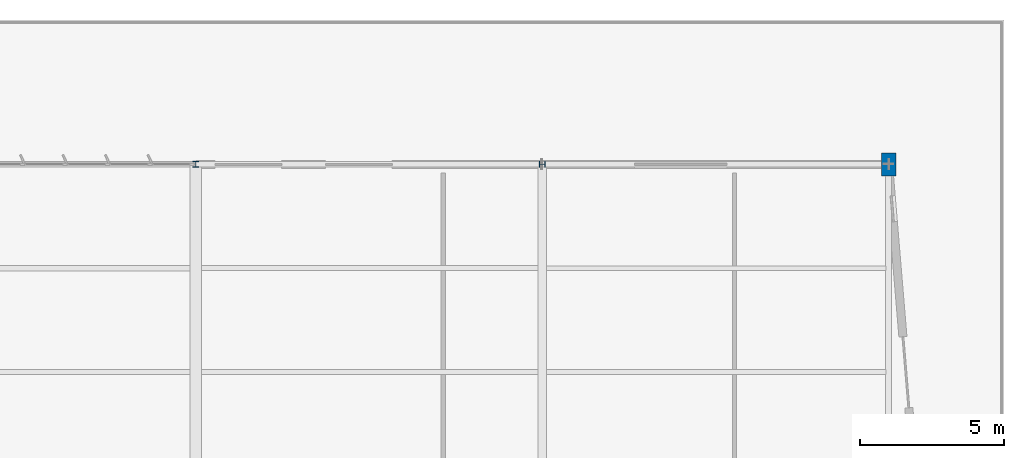
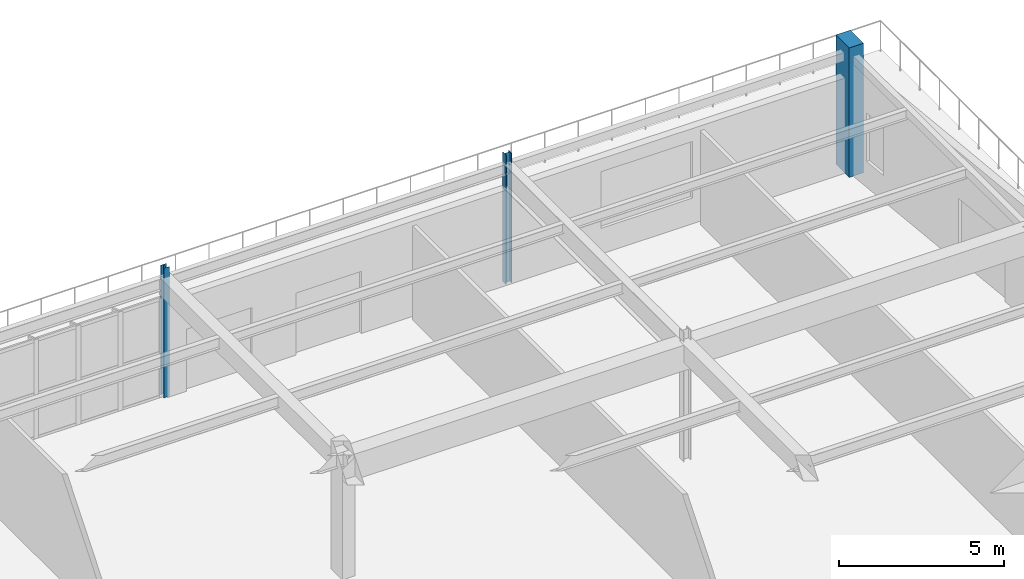
# One storey, part 66 of 199: 3 columns.
"""IFC4 building model written with IfcOpenShell, lengths in metres."""

from ifc_helpers import new_model, si_unit, direction, frame, origin, origin_2d, place, context, subcontext, project, spatial, rectangle, i_section, extrude, material, material_profile, profile_set, type_object, element, save


model = new_model("IFC4")

# Units and contexts
model_context = context("Model", 3, precision=1e-05, world=origin(), true_north=direction((0.0, 1.0)))
body_context = subcontext(model_context, "Body", "Model", "MODEL_VIEW")
ifc_project = project(units=[si_unit("LENGTHUNIT", "METRE"), si_unit("AREAUNIT", "SQUARE_METRE"), si_unit("VOLUMEUNIT", "CUBIC_METRE"), si_unit("PLANEANGLEUNIT", "RADIAN"), si_unit("MASSUNIT", "GRAM", prefix="KILO")], contexts=[model_context])

# Site, building, storey
site_placement = place(None, origin())
site = spatial("IfcSite", under=ifc_project, at=site_placement, CompositionType="ELEMENT")
building_placement = place(site_placement, origin())
building = spatial("IfcBuilding", under=site, at=building_placement, Name="Tarnwether General Hospital", CompositionType="ELEMENT")
storey_placement = place(building_placement, origin())
storey = spatial("IfcBuildingStorey", under=building, at=storey_placement, Name="L00", CompositionType="ELEMENT", Elevation=0.0)

# Columns
ifc_material_1 = material(Name="Concrete 50 MPa", Category="concrete")
ifc_material_profile_1 = material_profile(ifc_material_1, rectangle(XDim=0.5, YDim=0.800048828125, at=origin_2d()), Name="RC-PIL-500x800")
ifc_profile_set_1 = profile_set([ifc_material_profile_1], Name="Concrete 50 MPa")
column_type_1 = type_object("IfcColumnType", Name="COL-23", PredefinedType="PILASTER", material=ifc_profile_set_1)
column_1_placement = place(storey_placement, frame((192.0, 126.0, 0.0), z_axis=(0.0, 0.0, 1.0), x_axis=(1.0, 0.0, 0.0)))
element("IfcColumn", 1, at=column_1_placement, inside=storey, type_object=column_type_1, Name="Column COLG-L00-19200_12600", PredefinedType="PILASTER", context=body_context, shape_type="SweptSolid", body=[
    extrude(rectangle(XDim=0.5, YDim=0.800048828125, at=origin_2d()), origin(), (0.0, 0.0, 1.0), 4.800048828125),
])
ifc_material_2 = material(Name="Steel Grade 350 (350 MPa)", Category="steel")
ifc_material_profile_2 = material_profile(ifc_material_2, i_section(OverallWidth=0.205078125, OverallDepth=0.2099609375, WebThickness=0.00927734375, FlangeThickness=0.01416015625, at=origin_2d()), Name="200UC59.5")
ifc_profile_set_2 = profile_set([ifc_material_profile_2], Name="Steel Grade 350 (350 MPa)")
column_type_2 = type_object("IfcColumnType", Name="COL-25", PredefinedType="COLUMN", material=ifc_profile_set_2)
column_2_placement = place(storey_placement, frame((180.0, 126.0, 0.0), z_axis=(0.0, 0.0, 1.0), x_axis=(0.0, 1.0, 0.0)))
element("IfcColumn", 2, at=column_2_placement, inside=storey, type_object=column_type_2, Name="Column COLG-L00-18000_12600", PredefinedType="COLUMN", context=body_context, shape_type="SweptSolid", body=[
    extrude(i_section(OverallWidth=0.205078125, OverallDepth=0.2099609375, WebThickness=0.00927734375, FlangeThickness=0.01416015625, at=origin_2d()), origin(), (0.0, 0.0, 1.0), 4.800048828125),
])
ifc_material_3 = material(Name="Steel Grade 350 (350 MPa)", Category="steel")
ifc_material_profile_3 = material_profile(ifc_material_3, i_section(OverallWidth=0.202880859375, OverallDepth=0.202880859375, WebThickness=0.00732421875, FlangeThickness=0.010986328125, at=origin_2d()), Name="200UC46.2")
ifc_profile_set_3 = profile_set([ifc_material_profile_3], Name="Steel Grade 350 (350 MPa)")
column_type_3 = type_object("IfcColumnType", Name="COL-27", PredefinedType="COLUMN", material=ifc_profile_set_3)
column_3_placement = place(storey_placement, frame((168.0, 126.0, 0.0), z_axis=(0.0, 0.0, 1.0), x_axis=(1.0, 0.0, 0.0)))
element("IfcColumn", 3, at=column_3_placement, inside=storey, type_object=column_type_3, Name="Column COLG-L00-16800_12600", PredefinedType="COLUMN", context=body_context, shape_type="SweptSolid", body=[
    extrude(i_section(OverallWidth=0.202880859375, OverallDepth=0.202880859375, WebThickness=0.00732421875, FlangeThickness=0.010986328125, at=origin_2d()), origin(), (0.0, 0.0, 1.0), 4.800048828125),
])

save(model, "model.ifc")
